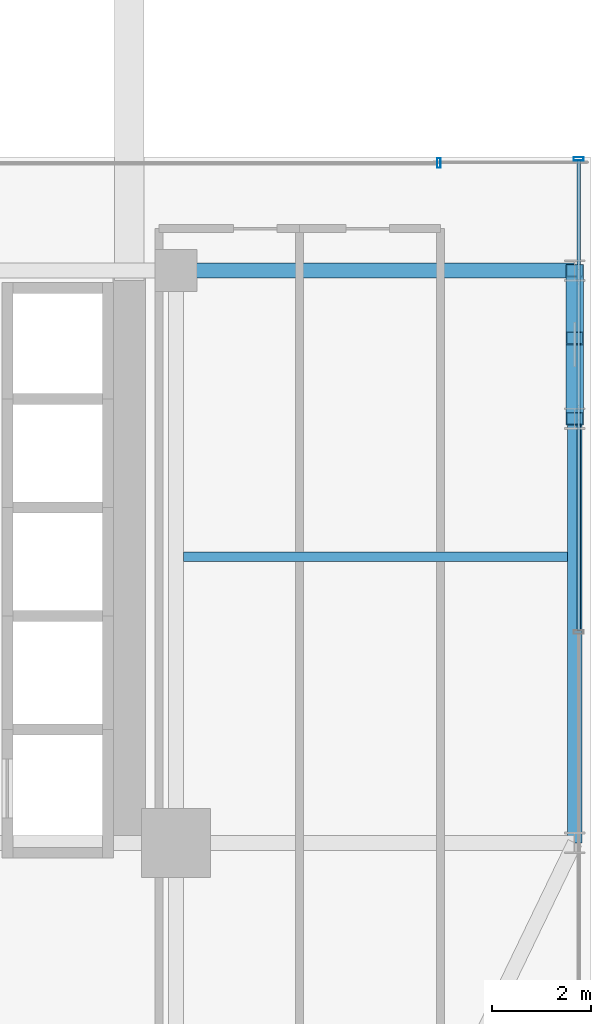
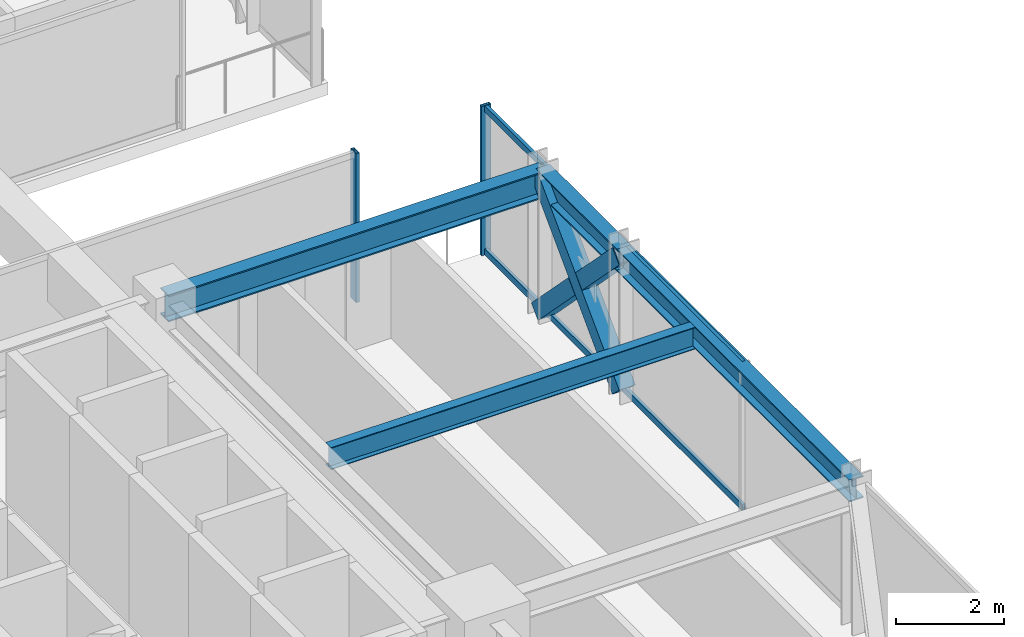
# One storey, part 18 of 37: 7 members, 4 beams, 2 elements without a shape of their own.
"""IFC4 building model written with IfcOpenShell, lengths in metres."""

from ifc_helpers import new_model, si_unit, direction, frame, origin, origin_2d, place, context, subcontext, project, spatial, hollow_rectangle, i_section, extrude, source, transform, mapped, material, material_profile, profile_set, type_object, element, aggregate, save


model = new_model("IFC4")

# Units and contexts
model_context = context("Model", 3, precision=1e-05, world=origin(), true_north=direction((0.0, 1.0)))
body_context = subcontext(model_context, "Body", "Model", "MODEL_VIEW")
ifc_project = project(units=[si_unit("LENGTHUNIT", "METRE"), si_unit("AREAUNIT", "SQUARE_METRE"), si_unit("VOLUMEUNIT", "CUBIC_METRE"), si_unit("PLANEANGLEUNIT", "RADIAN"), si_unit("MASSUNIT", "GRAM", prefix="KILO")], contexts=[model_context])

# Site, building, storey
site_placement = place(None, origin())
site = spatial("IfcSite", under=ifc_project, at=site_placement, CompositionType="ELEMENT")
building_placement = place(site_placement, origin())
building = spatial("IfcBuilding", under=site, at=building_placement, Name="Nahalor Promenade Grand Hotel", CompositionType="ELEMENT")
storey_placement = place(building_placement, frame((0.0, 0.0, 65.25)))
storey = spatial("IfcBuildingStorey", under=building, at=storey_placement, Name="L15", CompositionType="ELEMENT", Elevation=65.25)

# Beams
ifc_material_1 = material(Name="Steel S355JR", Category="steel")
ifc_material_profile_1 = material_profile(ifc_material_1, i_section(OverallWidth=0.3, OverallDepth=0.5, WebThickness=0.0145, FlangeThickness=0.028, at=origin_2d()), Name="HEB 500")
ifc_profile_set_1 = profile_set([ifc_material_profile_1], Name="Steel S355JR")
beam_type_1 = type_object("IfcBeamType", Name="Beam-Spandrel-HEB500", PredefinedType="SPANDREL", material=ifc_profile_set_1)
shared_shape_1 = source(origin(), body_context, "Body", "SweptSolid", [
    extrude(i_section(OverallWidth=0.3, OverallDepth=0.5, WebThickness=0.0145, FlangeThickness=0.028, at=origin_2d()), origin(), (0.0, 0.0, 1.0), 8.60009765625),
])
beam_1_placement = place(storey_placement, frame((25.080078125, -17.0, 3.1201171875), z_axis=(0.0, 1.0, 0.0), x_axis=(-1.0, 0.0, 0.0)))
element("IfcBeam", 1, at=beam_1_placement, inside=storey, type_object=beam_type_1, Name="BM-L15-SP-E-0", PredefinedType="SPANDREL", context=body_context, shape_type="MappedRepresentation", body=[
    mapped(shared_shape_1, transform((0.0, 0.0, 0.0), scale=1.0)),
])
shared_shape_2 = source(origin(), body_context, "Body", "SweptSolid", [
    extrude(i_section(OverallWidth=0.3, OverallDepth=0.5, WebThickness=0.0145, FlangeThickness=0.028, at=origin_2d()), origin(), (0.0, 0.0, 1.0), 3.0),
])
beam_2_placement = place(storey_placement, frame((25.080078125, -8.39990234375, 3.1201171875), z_axis=(0.0, 1.0, 0.0), x_axis=(-1.0, 0.0, 0.0)))
element("IfcBeam", 2, at=beam_2_placement, inside=storey, type_object=beam_type_1, Name="BM-L15-SP-E-1", PredefinedType="SPANDREL", context=body_context, shape_type="MappedRepresentation", body=[
    mapped(shared_shape_2, transform((0.0, 0.0, 0.0), scale=1.0)),
])
ifc_material_profile_2 = material_profile(ifc_material_1, i_section(OverallWidth=0.3, OverallDepth=0.6, WebThickness=0.0155, FlangeThickness=0.03, at=origin_2d()), Name="HEB 600")
ifc_profile_set_2 = profile_set([ifc_material_profile_2], Name="Steel S355JR")
beam_type_2 = type_object("IfcBeamType", Name="Beam-Girder-HEB600", PredefinedType="BEAM", material=ifc_profile_set_2)
shared_shape_3 = source(origin(), body_context, "Body", "SweptSolid", [
    extrude(i_section(OverallWidth=0.3, OverallDepth=0.6, WebThickness=0.0155, FlangeThickness=0.03, at=origin_2d()), origin(), (0.0, 0.0, 1.0), 8.080078125),
])
beam_3_placement = place(storey_placement, frame((17.0, -5.39990234375, 3.070068359375), z_axis=(1.0, 0.0, 0.0), x_axis=(0.0, 1.0, 0.0)))
element("IfcBeam", 3, at=beam_3_placement, inside=storey, type_object=beam_type_2, Name="BM-L15-GX-1-6", PredefinedType="BEAM", context=body_context, shape_type="MappedRepresentation", body=[
    mapped(shared_shape_3, transform((0.0, 0.0, 0.0), scale=1.0)),
])
ifc_material_profile_3 = material_profile(ifc_material_1, i_section(OverallWidth=0.2, OverallDepth=0.5, WebThickness=0.0102, FlangeThickness=0.016, at=origin_2d()), Name="IPE 500")
ifc_profile_set_3 = profile_set([ifc_material_profile_3], Name="Steel S355JR")
beam_type_3 = type_object("IfcBeamType", Name="Beam-Joist-IPE500", PredefinedType="JOIST", material=ifc_profile_set_3)
shared_shape_4 = source(origin(), body_context, "Body", "SweptSolid", [
    extrude(i_section(OverallWidth=0.2, OverallDepth=0.5, WebThickness=0.0102, FlangeThickness=0.016, at=origin_2d()), origin(), (0.0, 0.0, 1.0), 7.780029296875),
])
beam_4_placement = place(storey_placement, frame((17.14990234375, -11.199951171875, 3.1201171875), z_axis=(1.0, 0.0, 0.0), x_axis=(0.0, 1.0, 0.0)))
element("IfcBeam", 4, at=beam_4_placement, inside=storey, type_object=beam_type_3, Name="BM-L15-JSE-0-2", PredefinedType="JOIST", context=body_context, shape_type="MappedRepresentation", body=[
    mapped(shared_shape_4, transform((0.0, 0.0, 0.0), scale=1.0)),
])

# Members
ifc_material_profile_4 = material_profile(ifc_material_1, hollow_rectangle(XDim=0.35, YDim=0.35, WallThickness=0.02, at=origin_2d()), Name="SHS 350x350x20")
ifc_profile_set_4 = profile_set([ifc_material_profile_4], Name="Steel S355JR")
member_type_1 = type_object("IfcMemberType", Name="Mem-VoidBrace-SHS350", PredefinedType="BRACE", material=ifc_profile_set_4)
shared_shape_5 = source(origin(), body_context, "Body", "SweptSolid", [
    extrude(hollow_rectangle(XDim=0.35, YDim=0.35, WallThickness=0.02, at=origin_2d()), origin(), (0.0, 0.0, 1.0), 4.29248046875),
])
member_1_placement = place(storey_placement, frame((25.080078125, -8.39990234375, 0.14990234375), z_axis=(0.0, 0.698897904453, 0.715221447631), x_axis=(-1.0, 0.0, 0.0)))
element("IfcMember", 5, at=member_1_placement, inside=storey, type_object=member_type_1, Name="EXO-L15-VX1-E0", PredefinedType="BRACE", context=body_context, shape_type="MappedRepresentation", body=[
    mapped(shared_shape_5, transform((0.0, 0.0, 0.0), scale=1.0)),
])
shared_shape_6 = source(origin(), body_context, "Body", "SweptSolid", [
    extrude(hollow_rectangle(XDim=0.35, YDim=0.35, WallThickness=0.02, at=origin_2d()), origin(), (0.0, 0.0, 1.0), 1.959228515625),
])
member_2_placement = place(storey_placement, frame((25.080078125, -5.39990234375, 0.14990234375), z_axis=(0.0, -0.698898183234, 0.715221175212), x_axis=(1.0, 0.0, 0.0)))
element("IfcMember", 6, at=member_2_placement, inside=storey, type_object=member_type_1, Name="EXO-L15-VX2-E0A", PredefinedType="BRACE", context=body_context, shape_type="MappedRepresentation", body=[
    mapped(shared_shape_6, transform((0.0, 0.0, 0.0), scale=1.0)),
])
shared_shape_7 = source(origin(), body_context, "Body", "SweptSolid", [
    extrude(hollow_rectangle(XDim=0.35, YDim=0.35, WallThickness=0.02, at=origin_2d()), origin(), (0.0, 0.0, 1.0), 1.958984375),
])
member_3_placement = place(storey_placement, frame((25.080078125, -7.03076171875, 1.81884765625), z_axis=(0.0, -0.698896728293, 0.715222596946), x_axis=(1.0, 0.0, 0.0)))
element("IfcMember", 7, at=member_3_placement, inside=storey, type_object=member_type_1, Name="EXO-L15-VX2-E0B", PredefinedType="BRACE", context=body_context, shape_type="MappedRepresentation", body=[
    mapped(shared_shape_7, transform((0.0, 0.0, 0.0), scale=1.0)),
])

# Curtain wall, member
ifc_material_2 = material(Name="Anodised Bronze Aluminium EN AW-6063 T6", Category="aluminium")
curtain_wall_type = type_object("IfcCurtainWallType", Name="CW3 Elliptical-Void Collar Unitised Curtain Wall", PredefinedType="USERDEFINED", material=ifc_material_2)
curtain_wall_1_placement = place(storey_placement, origin())
curtain_wall_1 = element("IfcCurtainWall", 8, at=curtain_wall_1_placement, inside=storey, type_object=curtain_wall_type, Name="L15 Curtain Wall CW-L15-E-1", ObjectType="UNITISED_CURTAIN_WALL", PredefinedType="USERDEFINED")
ifc_material_profile_5 = material_profile(ifc_material_2, hollow_rectangle(XDim=0.07, YDim=0.2, WallThickness=0.005, at=origin_2d()), Name="CWM 70x200x5")
ifc_profile_set_5 = profile_set([ifc_material_profile_5], Name="Anodised Bronze Aluminium EN AW-6063 T6")
member_type_2 = type_object("IfcMemberType", Name="CWM3 Void Collar Mullion 70x200", PredefinedType="MULLION", material=ifc_profile_set_5)
shared_shape_8 = source(origin(), body_context, "Body", "SweptSolid", [
    extrude(hollow_rectangle(XDim=0.07, YDim=0.2, WallThickness=0.005, at=origin_2d()), origin(), (0.0, 0.0, 1.0), 3.3701171875),
])
member_4_placement = place(storey_placement, frame((25.159912109375, -3.135009765625, 0.0), z_axis=(0.0, 0.0, 1.0), x_axis=(0.0, 1.0, 0.0)))
member_4 = element("IfcMember", 9, at=member_4_placement, type_object=member_type_2, Name="CW-L15-E-1 Mullion 2", PredefinedType="MULLION", context=body_context, shape_type="MappedRepresentation", body=[
    mapped(shared_shape_8, transform((0.0, 0.0, 0.0), scale=1.0)),
])

curtain_wall_2_placement = place(storey_placement, origin())
curtain_wall_2 = element("IfcCurtainWall", 10, at=curtain_wall_2_placement, inside=storey, type_object=curtain_wall_type, Name="L15 Curtain Wall CW-L15-VOID-ES1", ObjectType="UNITISED_CURTAIN_WALL", PredefinedType="USERDEFINED")
member_5_placement = place(storey_placement, frame((22.324951171875, -3.219970703125, 0.0), z_axis=(0.0, 0.0, 1.0), x_axis=(1.0, 0.0, 0.0)))
member_5 = element("IfcMember", 11, at=member_5_placement, type_object=member_type_2, Name="CW-L15-VOID-ES1 Mullion 1", PredefinedType="MULLION", context=body_context, shape_type="MappedRepresentation", body=[
    mapped(shared_shape_8, transform((0.0, 0.0, 0.0), scale=1.0)),
])
aggregate(curtain_wall_2, [member_5])

# Member
ifc_material_profile_6 = material_profile(ifc_material_2, hollow_rectangle(XDim=0.07, YDim=0.14, WallThickness=0.004, at=origin_2d()), Name="CWT 70x140x4")
ifc_profile_set_6 = profile_set([ifc_material_profile_6], Name="Anodised Bronze Aluminium EN AW-6063 T6")
member_type_3 = type_object("IfcMemberType", Name="CWT3 Void Collar Transom 70x140", PredefinedType="USERDEFINED", material=ifc_profile_set_6)
shared_shape_9 = source(origin(), body_context, "Body", "SweptSolid", [
    extrude(hollow_rectangle(XDim=0.07, YDim=0.14, WallThickness=0.004, at=origin_2d()), origin(), (0.0, 0.0, 1.0), 9.525146484375),
])
member_6_placement = place(storey_placement, frame((25.159912109375, -12.695068359375, 0.070068359375), z_axis=(0.0, 1.0, 0.0), x_axis=(-1.0, 0.0, 0.0)))
member_6 = element("IfcMember", 12, at=member_6_placement, type_object=member_type_3, Name="CW-L15-E-1 Transom 1-0", ObjectType="TRANSOM", PredefinedType="USERDEFINED", context=body_context, shape_type="MappedRepresentation", body=[
    mapped(shared_shape_9, transform((0.0, 0.0, 0.0), scale=1.0)),
])

member_7_placement = place(storey_placement, frame((25.159912109375, -12.695068359375, 3.300048828125), z_axis=(0.0, 1.0, 0.0), x_axis=(-1.0, 0.0, 0.0)))
member_7 = element("IfcMember", 13, at=member_7_placement, type_object=member_type_3, Name="CW-L15-E-1 Transom 1-1", ObjectType="TRANSOM", PredefinedType="USERDEFINED", context=body_context, shape_type="MappedRepresentation", body=[
    mapped(shared_shape_9, transform((0.0, 0.0, 0.0), scale=1.0)),
])

aggregate(curtain_wall_1, [member_4, member_6, member_7])

save(model, "model.ifc")
